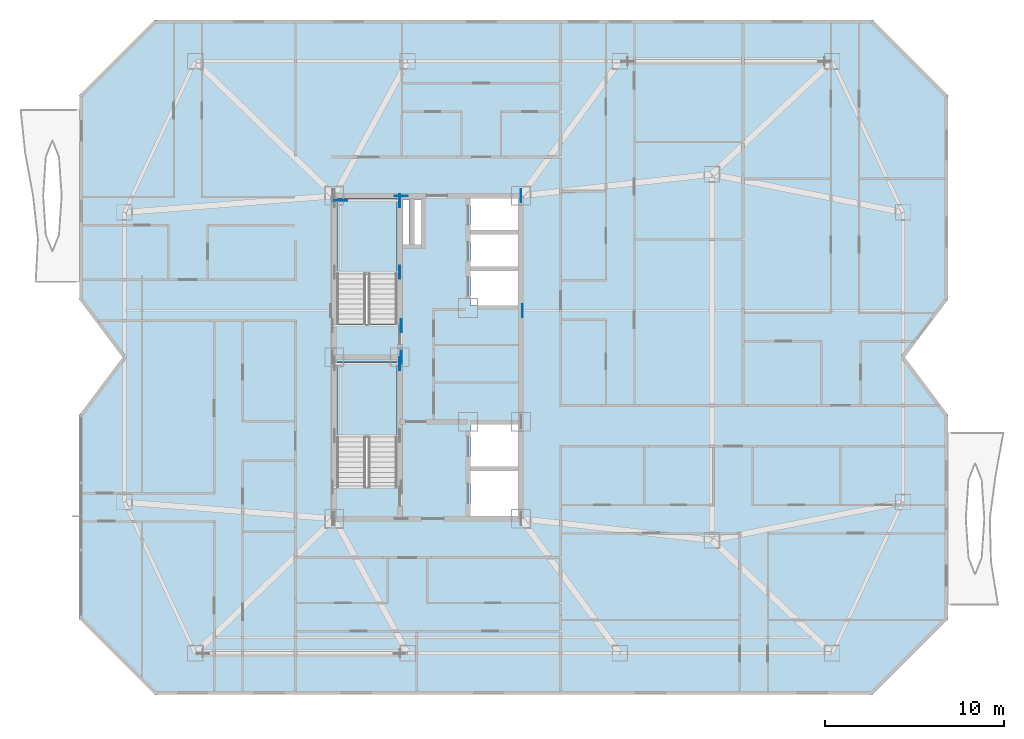
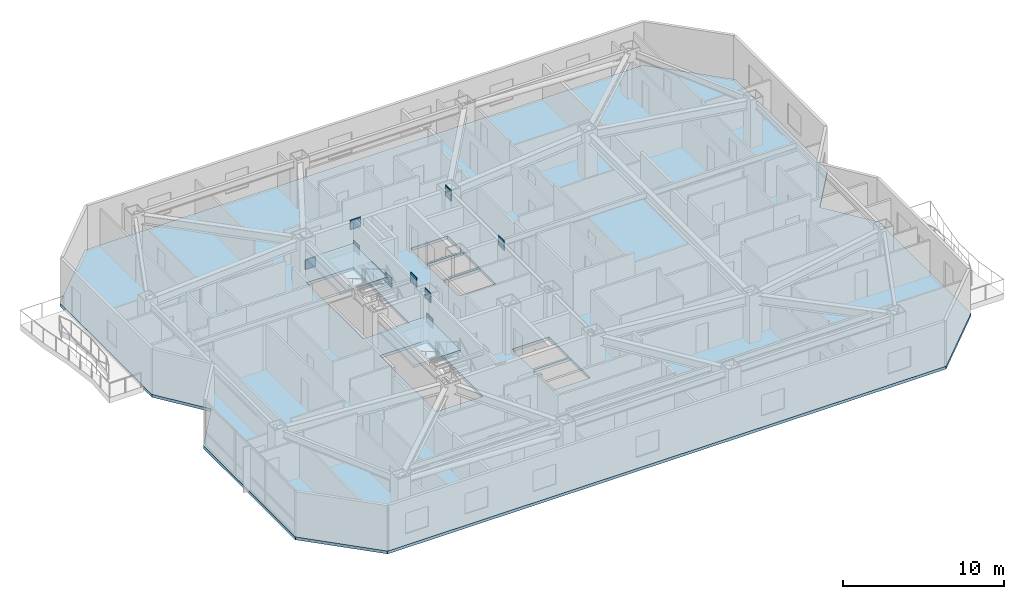
# One storey, part 6 of 17: 10 plates, 3 slabs, 2 elements without a shape of their own.
"""IFC4 building model written with IfcOpenShell, lengths in metres."""

from ifc_helpers import new_model, si_unit, direction, frame, origin, origin_2d, place, context, subcontext, project, spatial, polyline, rectangle, outline, extrude, material, layer, layer_set, type_object, element, aggregate, save


model = new_model("IFC4")

# Units and contexts
model_context = context("Model", 3, precision=1e-05, world=origin(), true_north=direction((0.0, 1.0)))
body_context = subcontext(model_context, "Body", "Model", "MODEL_VIEW")
ifc_project = project(units=[si_unit("LENGTHUNIT", "METRE"), si_unit("AREAUNIT", "SQUARE_METRE"), si_unit("VOLUMEUNIT", "CUBIC_METRE"), si_unit("PLANEANGLEUNIT", "RADIAN"), si_unit("MASSUNIT", "GRAM", prefix="KILO")], contexts=[model_context])

# Site, building, storey
site_placement = place(None, origin())
site = spatial("IfcSite", under=ifc_project, at=site_placement, CompositionType="ELEMENT")
building_placement = place(site_placement, origin())
building = spatial("IfcBuilding", under=site, at=building_placement, Name="Khamvora Tower", CompositionType="ELEMENT")
storey_placement = place(building_placement, frame((0.0, 0.0, 192.39990234375)))
storey = spatial("IfcBuildingStorey", under=building, at=storey_placement, Name="L49", CompositionType="ELEMENT", Elevation=192.39990234375)

# Plates
ifc_material_1 = material(Name="Steel S460", Category="steel")
ifc_layer_1 = layer(ifc_material_1, 0.034912109375)
ifc_layer_set_1 = layer_set([ifc_layer_1], Name="Steel S460")
plate_type = type_object("IfcPlateType", Name="PL-EMB-35", PredefinedType="SHEET", material=ifc_layer_set_1)
for number, where, z_axis, x_axis, name in (
    (1, (32.64990234375, 27.6298828125, 1.13427734375), (0.0, 0.0, 1.0), (1.0, 0.0, 0.0), "L49 core shear wall cast-in embed plate 1425"),
    (2, (32.64990234375, 32.735107421875, 1.13427734375), (0.0, 0.0, 1.0), (1.0, 0.0, 0.0), "L49 core shear wall cast-in embed plate 1427"),
    (3, (32.64990234375, 36.72998046875, 1.13427734375), (0.0, 0.0, 1.0), (1.0, 0.0, 0.0), "L49 core shear wall cast-in embed plate 1429"),
):
    element("IfcPlate", number, at=place(storey_placement, frame(where, z_axis=z_axis, x_axis=x_axis)), inside=storey, type_object=plate_type, Name=name, PredefinedType="SHEET", context=body_context, shape_type="SweptSolid", body=[
        extrude(rectangle(XDim=0.034912109375, YDim=0.719970703125, at=origin_2d()), origin(), (0.0, 0.0, 1.0), 0.719970703125),
    ])
plate_1_placement = place(storey_placement, frame((29.35009765625, 36.72998046875, 1.13427734375), z_axis=(0.0, 0.0, 1.0), x_axis=(1.0, 0.0, 0.0)))
element("IfcPlate", 4, at=plate_1_placement, inside=storey, type_object=plate_type, Name="L49 core shear wall cast-in embed plate 1430", PredefinedType="SHEET", context=body_context, shape_type="SweptSolid", body=[
    extrude(rectangle(XDim=0.719970703125, YDim=0.034912109375, at=origin_2d()), origin(), (0.0, 0.0, 1.0), 0.719970703125),
])
for number, where, z_axis, x_axis, name in (
    (5, (39.39990234375, 37.0, 2.72314453125), (0.0, 0.0, 1.0), (1.0, 0.0, 0.0), "L49 core shear wall cast-in embed plate 1434"),
    (6, (32.72998046875, 28.0, 2.80419921875), (0.0, 0.0, 1.0), (1.0, 0.0, 0.0), "L49 core shear wall cast-in embed plate 1439"),
):
    element("IfcPlate", number, at=place(storey_placement, frame(where, z_axis=z_axis, x_axis=x_axis)), inside=storey, type_object=plate_type, Name=name, PredefinedType="SHEET", context=body_context, shape_type="SweptSolid", body=[
        extrude(rectangle(XDim=0.034912109375, YDim=0.719970703125, at=origin_2d()), origin(), (0.0, 0.0, 1.0), 0.719970703125),
    ])
plate_2_placement = place(storey_placement, frame((32.72998046875, 37.0, 2.80419921875), z_axis=(0.0, 0.0, 1.0), x_axis=(1.0, 0.0, 0.0)))
element("IfcPlate", 7, at=plate_2_placement, inside=storey, type_object=plate_type, Name="L49 core shear wall cast-in embed plate 1440", PredefinedType="SHEET", context=body_context, shape_type="SweptSolid", body=[
    extrude(rectangle(XDim=0.719970703125, YDim=0.034912109375, at=origin_2d()), origin(), (0.0, 0.0, 1.0), 0.719970703125),
])
for number, where, z_axis, x_axis, name in (
    (8, (39.39990234375, 37.0, 2.80419921875), (0.0, 0.0, 1.0), (1.0, 0.0, 0.0), "L49 core shear wall cast-in embed plate 1443"),
    (9, (32.72998046875, 29.75, 2.9443359375), (0.0, 0.0, 1.0), (1.0, 0.0, 0.0), "L49 core shear wall cast-in embed plate 1447"),
    (10, (39.4990234375, 30.60009765625, 2.84130859375), (0.0, 0.0, 1.0), (1.0, 0.0, 0.0), "L49 core shear wall cast-in embed plate 1449"),
):
    element("IfcPlate", number, at=place(storey_placement, frame(where, z_axis=z_axis, x_axis=x_axis)), inside=storey, type_object=plate_type, Name=name, PredefinedType="SHEET", context=body_context, shape_type="SweptSolid", body=[
        extrude(rectangle(XDim=0.034912109375, YDim=0.719970703125, at=origin_2d()), origin(), (0.0, 0.0, 1.0), 0.719970703125),
    ])

# Stair, slab
ifc_material_2 = material(Name="Concrete C40/50", Category="concrete")
stair_type_1 = type_object("IfcStairType", Name="STR-ST-01", PredefinedType="HALF_TURN_STAIR", material=ifc_material_2)
stair_1_placement = place(storey_placement, origin())
stair_1 = element("IfcStair", 11, at=stair_1_placement, inside=storey, type_object=stair_type_1, Name="L49 South Tower Exit Stair ST-01", PredefinedType="HALF_TURN_STAIR")
ifc_layer_2 = layer(ifc_material_2, 0.199951171875)
ifc_layer_set_2 = layer_set([ifc_layer_2], Name="Concrete C40/50")
slab_type_1 = type_object("IfcSlabType", Name="SLB-LND-200", PredefinedType="LANDING", material=ifc_layer_set_2)
slab_1_placement = place(storey_placement, frame((0.0, 0.0, 1.625)))
slab_1 = element("IfcSlab", 12, at=slab_1_placement, type_object=slab_type_1, Name="ST-01 landing 1", PredefinedType="LANDING", context=body_context, shape_type="SweptSolid", body=[
    extrude(outline(polyline([(32.5, 23.514892578125), (32.5, 27.75), (29.14990234375, 27.75), (29.14990234375, 23.514892578125), (32.5, 23.514892578125)])), origin(), (0.0, 0.0, 1.0), 0.2001953125),
])
aggregate(stair_1, [slab_1])

stair_type_2 = type_object("IfcStairType", Name="STR-ST-02", PredefinedType="HALF_TURN_STAIR", material=ifc_material_2)
stair_2_placement = place(storey_placement, origin())
stair_2 = element("IfcStair", 13, at=stair_2_placement, inside=storey, type_object=stair_type_2, Name="L49 North Tower Exit Stair ST-02", PredefinedType="HALF_TURN_STAIR")
slab_2_placement = place(storey_placement, frame((0.0, 0.0, 1.625)))
slab_2 = element("IfcSlab", 14, at=slab_2_placement, type_object=slab_type_1, Name="ST-02 landing 1", PredefinedType="LANDING", context=body_context, shape_type="SweptSolid", body=[
    extrude(outline(polyline([(32.5, 32.614990234375), (32.5, 36.85009765625), (29.14990234375, 36.85009765625), (29.14990234375, 32.614990234375), (32.5, 32.614990234375)])), origin(), (0.0, 0.0, 1.0), 0.2001953125),
])
aggregate(stair_2, [slab_2])

# Slab
ifc_material_3 = material(Name="Concrete C35/45", Category="concrete")
ifc_layer_3 = layer(ifc_material_3, 0.219970703125)
ifc_layer_set_3 = layer_set([ifc_layer_3], Name="Concrete C35/45")
slab_type_2 = type_object("IfcSlabType", Name="SLB-TYP-220", PredefinedType="FLOOR", material=ifc_layer_set_3)
slab_3_placement = place(storey_placement, frame((0.0, 0.0, -0.219970703125)))
element("IfcSlab", 15, at=slab_3_placement, inside=storey, type_object=slab_type_2, Name="L49 structural floor slab", PredefinedType="FLOOR", context=body_context, shape_type="SweptSolid", body=[
    extrude(outline(polyline([(19.0, 9.199951171875), (59.0, 9.199951171875), (63.199951171875, 13.39990234375), (63.199951171875, 24.800048828125), (60.800048828125, 28.0), (63.199951171875, 31.199951171875), (63.199951171875, 42.60009765625), (59.0, 46.800048828125), (19.0, 46.800048828125), (14.800048828125, 42.60009765625), (14.800048828125, 31.199951171875), (17.199951171875, 28.0), (14.800048828125, 24.800048828125), (14.800048828125, 13.39990234375), (19.0, 9.199951171875)]), holes=[polyline([(32.5, 20.760009765625), (32.5, 27.75), (29.14990234375, 27.75), (29.14990234375, 20.760009765625), (32.5, 20.760009765625)]), polyline([(32.5, 29.860107421875), (32.5, 36.85009765625), (29.14990234375, 36.85009765625), (29.14990234375, 29.860107421875), (32.5, 29.860107421875)]), polyline([(36.60009765625, 19.14990234375), (39.25, 19.14990234375), (39.25, 21.64990234375), (36.60009765625, 21.64990234375), (36.60009765625, 19.14990234375)]), polyline([(36.60009765625, 21.800048828125), (39.25, 21.800048828125), (39.25, 24.25), (36.60009765625, 24.25), (36.60009765625, 21.800048828125)]), polyline([(36.60009765625, 30.89990234375), (39.25, 30.89990234375), (39.25, 32.800048828125), (36.60009765625, 32.800048828125), (36.60009765625, 30.89990234375)]), polyline([(36.60009765625, 32.949951171875), (39.25, 32.949951171875), (39.25, 34.85009765625), (36.60009765625, 34.85009765625), (36.60009765625, 32.949951171875)]), polyline([(36.60009765625, 35.0), (39.25, 35.0), (39.25, 36.85009765625), (36.60009765625, 36.85009765625), (36.60009765625, 35.0)]), polyline([(32.800048828125, 34.300048828125), (33.199951171875, 34.300048828125), (33.199951171875, 36.800048828125), (32.800048828125, 36.800048828125), (32.800048828125, 34.300048828125)]), polyline([(33.47998046875, 34.300048828125), (33.820068359375, 34.300048828125), (33.820068359375, 36.800048828125), (33.47998046875, 36.800048828125), (33.47998046875, 34.300048828125)])]), origin(), (0.0, 0.0, 1.0), 0.219970703125),
])

save(model, "model.ifc")
